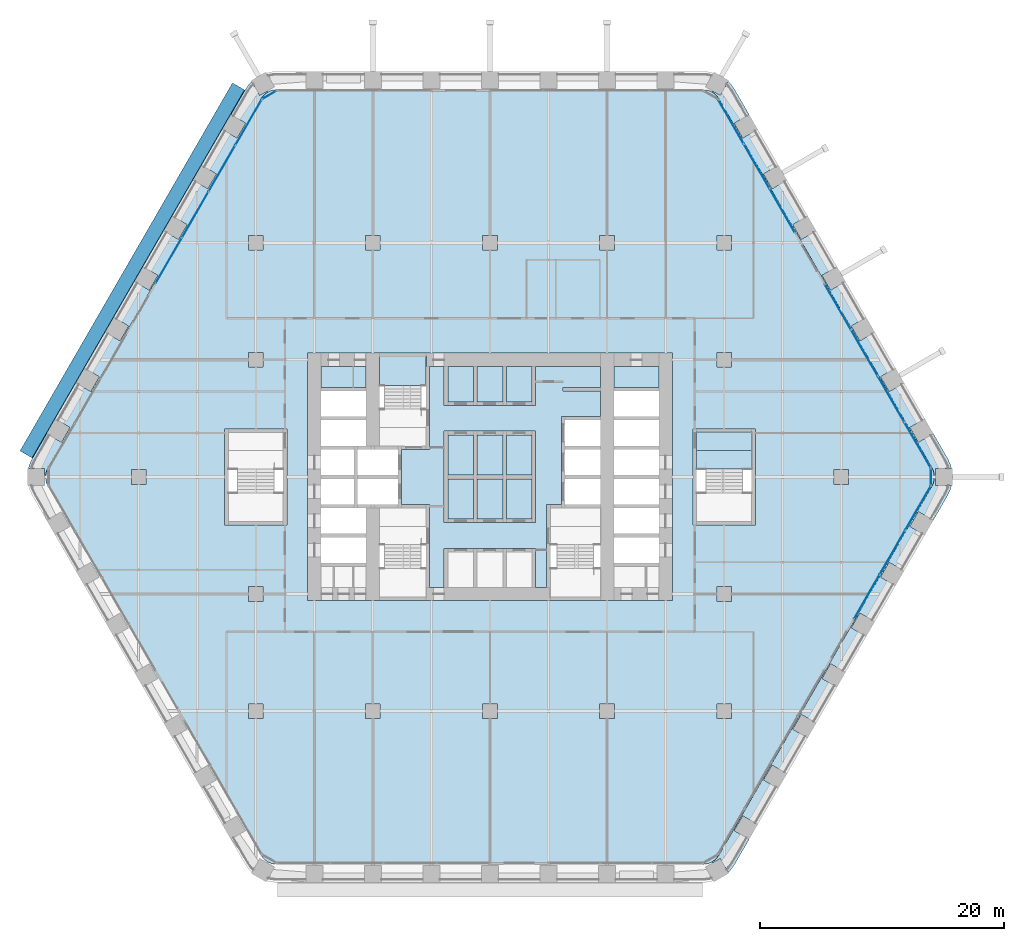
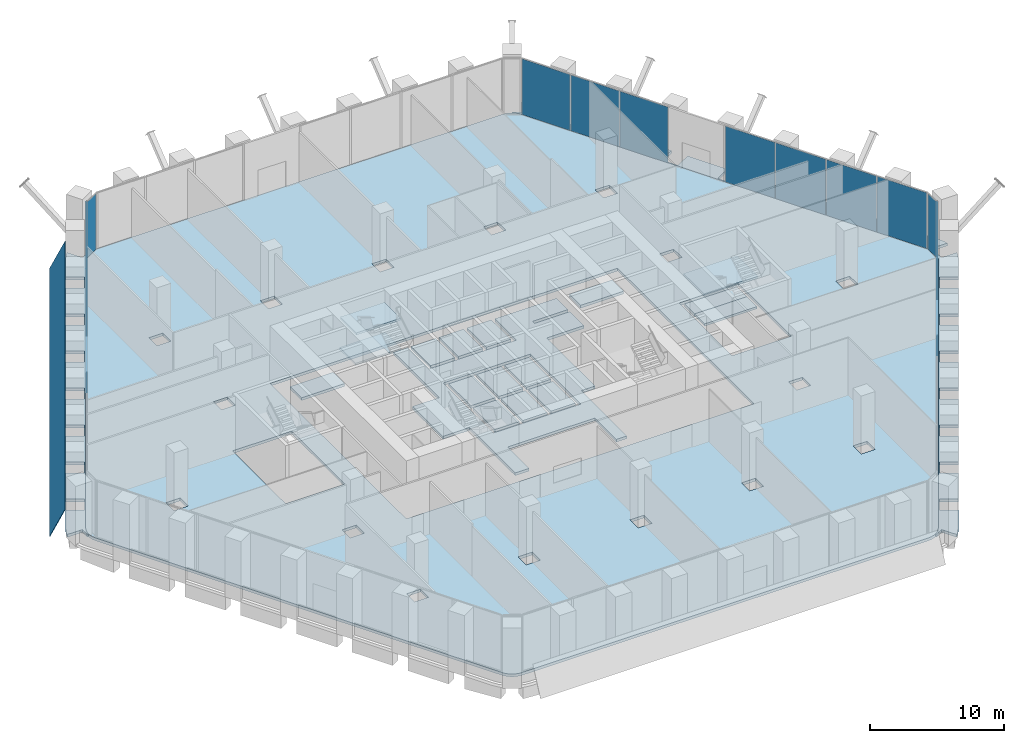
# One storey, part 16 of 29: 21 slabs, 17 plates, 8 elements without a shape of their own.
"""IFC4 building model written with IfcOpenShell, lengths in metres."""

import ifcopenshell
import ifcopenshell.guid

model = None  # the IFC model being written
_history = None  # IfcOwnerHistory: only IFC2X3 demands one
_inside = {}  # id of a spatial element -> (the spatial element, [elements in it])
_under = {}  # id of a project, library or spatial element -> (it, [spatial elements below it])
_declared = {}  # id of a project -> (the project, [libraries it declares])
_typed = {}  # id of a type object -> (the type object, [elements of that type])
_made_of = {}  # id of a material, layer set ... -> (it, [elements and type objects made of it])


def new_model(schema):
    """Start an empty IFC model of exactly this schema.

    Asked for "IFC4X3", IfcOpenShell would pick the latest addendum, in which some entities
    have other attributes; the version numbers below select the first issue.
    IFC2X3 requires an IfcOwnerHistory on every rooted entity: one is made here for all.
    """
    global model, _history
    if schema == "IFC4X3":
        model = ifcopenshell.file(schema_version=(4, 3, 0, 0))
    else:
        model = ifcopenshell.file(schema=schema)
    _inside.clear()
    _under.clear()
    _declared.clear()
    _typed.clear()
    _made_of.clear()
    _history = None
    if model.schema == "IFC2X3":
        org = make("IfcOrganization", Name="unknown")
        user = make(
            "IfcPersonAndOrganization",
            ThePerson=make("IfcPerson", FamilyName="unknown"),
            TheOrganization=org,
        )
        app = make(
            "IfcApplication",
            ApplicationDeveloper=org,
            Version="unknown",
            ApplicationFullName="unknown",
            ApplicationIdentifier="unknown",
        )
        _history = make(
            "IfcOwnerHistory",
            OwningUser=user,
            OwningApplication=app,
            ChangeAction="ADDED",
            CreationDate=0,
        )
    return model


def make(cls, **values):
    """One entity of the class cls with the attributes given. An attribute that is None is left unset."""
    return model.create_entity(
        cls, **{name: value for name, value in values.items() if value is not None}
    )


def rooted(cls, **values):
    """An entity with a GlobalId (a new one), such as an element, a storey or a relation."""
    return make(cls, GlobalId=ifcopenshell.guid.new(), OwnerHistory=_history, **values)


def si_unit(unit_type, name, prefix=None):
    """IfcSIUnit, for example si_unit("LENGTHUNIT", "METRE", prefix="MILLI")."""
    return make("IfcSIUnit", UnitType=unit_type, Prefix=prefix, Name=name)


def assignment(units):
    """IfcUnitAssignment: the units of a project."""
    return None if units is None else make("IfcUnitAssignment", Units=units)


def point(xyz):
    """IfcCartesianPoint."""
    return None if xyz is None else make("IfcCartesianPoint", Coordinates=xyz)


def direction(xyz):
    """IfcDirection."""
    return None if xyz is None else make("IfcDirection", DirectionRatios=xyz)


def frame(location, z_axis=None, x_axis=None):
    """IfcAxis2Placement3D, a coordinate frame: its origin and axes. An axis left out is left unset."""
    return make(
        "IfcAxis2Placement3D",
        Location=point(location),
        Axis=direction(z_axis),
        RefDirection=direction(x_axis),
    )


def frame_2d(location, x_axis=None):
    """IfcAxis2Placement2D, a coordinate frame in the plane: its origin and x axis."""
    return make(
        "IfcAxis2Placement2D", Location=point(location), RefDirection=direction(x_axis)
    )


def origin():
    """The frame at (0, 0, 0) with its axes left unset."""
    return frame((0.0, 0.0, 0.0))


def origin_2d():
    """The frame at (0, 0) in the plane with its x axis left unset."""
    return frame_2d((0.0, 0.0))


def place(relative_to, where):
    """IfcLocalPlacement: puts the frame where relative to a parent placement (None: the world)."""
    return make(
        "IfcLocalPlacement", PlacementRelTo=relative_to, RelativePlacement=where
    )


def context(
    kind, dimensions, precision=None, world=None, true_north=None, identifier=None
):
    """IfcGeometricRepresentationContext, for example the 3D "Model" context."""
    return make(
        "IfcGeometricRepresentationContext",
        ContextIdentifier=identifier,
        ContextType=kind,
        CoordinateSpaceDimension=dimensions,
        Precision=precision,
        WorldCoordinateSystem=world,
        TrueNorth=true_north,
    )


def subcontext(parent, identifier, kind, view, scale=None):
    """IfcGeometricRepresentationSubContext, for example "Body" below "Model"."""
    return make(
        "IfcGeometricRepresentationSubContext",
        ContextIdentifier=identifier,
        ContextType=kind,
        ParentContext=parent,
        TargetScale=scale,
        TargetView=view,
    )


def project(units=None, contexts=None):
    """IfcProject with its units and contexts."""
    return rooted(
        "IfcProject",
        Name="project",
        RepresentationContexts=contexts,
        UnitsInContext=assignment(units),
    )


def spatial(cls, under=None, at=None, **own):
    """A site, building, storey or space (cls), placed at a placement, below another one or the project."""
    s = rooted(cls, ObjectPlacement=at, **own)
    if under is not None:
        _under.setdefault(under.id(), (under, []))[1].append(s)
    return s


def polyline(points):
    """IfcPolyline through the points."""
    return make("IfcPolyline", Points=[point(p) for p in points])


def profile(cls, at=None, kind="AREA", **sizes):
    """A parametric profile (cls). Its sizes go by their IFC names, for example OverallWidth=200.0."""
    return make(cls, ProfileType=kind, Position=at, **sizes)


def rectangle(**sizes):
    """IfcRectangleProfileDef."""
    return profile("IfcRectangleProfileDef", **sizes)


def outline(outer, holes=None, kind="AREA"):
    """IfcArbitraryClosedProfileDef: a profile drawn as a closed curve; with holes, ...WithVoids."""
    if holes is None:
        return make("IfcArbitraryClosedProfileDef", ProfileType=kind, OuterCurve=outer)
    return make(
        "IfcArbitraryProfileDefWithVoids",
        ProfileType=kind,
        OuterCurve=outer,
        InnerCurves=holes,
    )


def extrude(swept, where, along, depth):
    """IfcExtrudedAreaSolid: the profile swept, set in the frame where, extruded along a direction by depth."""
    return make(
        "IfcExtrudedAreaSolid",
        SweptArea=swept,
        Position=where,
        ExtrudedDirection=direction(along),
        Depth=depth,
    )


def shape(context_of_items, identifier, shape_type, items):
    """IfcShapeRepresentation: the items that make up one representation, for example the "Body"."""
    return make(
        "IfcShapeRepresentation",
        ContextOfItems=context_of_items,
        RepresentationIdentifier=identifier,
        RepresentationType=shape_type,
        Items=items,
    )


def material(Name=None, Category=None):
    """IfcMaterial."""
    return make("IfcMaterial", Name=Name, Category=Category)


def layer(
    of_material, thickness, ventilated=None, Name=None, Category=None, Priority=None
):
    """IfcMaterialLayer: one layer of a wall or slab, of a material (None: an air gap)."""
    return make(
        "IfcMaterialLayer",
        Material=of_material,
        LayerThickness=thickness,
        IsVentilated=ventilated,
        Name=Name,
        Category=Category,
        Priority=Priority,
    )


def layer_set(layers, Name=None):
    """IfcMaterialLayerSet."""
    return make("IfcMaterialLayerSet", MaterialLayers=layers, LayerSetName=Name)


def made_of(thing, what):
    """Note that an element or type object is made of a material, layer set ...; save() writes the relation."""
    if what is not None:
        _made_of.setdefault(what.id(), (what, []))[1].append(thing)
    return thing


def type_object(cls, material=None, **own):
    """A type object (cls), such as IfcWallType, which elements share."""
    return made_of(rooted(cls, **own), material)


def element(
    cls,
    number,
    at=None,
    inside=None,
    cuts=None,
    type_object=None,
    material=None,
    context=None,
    identifier="Body",
    shape_type=None,
    held_by="IfcProductDefinitionShape",
    body=None,
    shapes=None,
    **own,
):
    """One element of the class cls, such as IfcWall. Its Tag is "e" and its number.

    at: its placement. inside: the storey or other place that contains it. cuts: it is an
    opening in that element (IfcRelVoidsElement). A single representation is given by context,
    identifier, shape_type and body (its items); several are given by shapes. held_by: the class
    of the entity that holds the representations. save() writes the other relations.
    """
    e = rooted(cls, Tag="e%d" % number, ObjectPlacement=at, **own)
    if body is not None:
        shapes = [shape(context, identifier, shape_type, body)]
    if shapes is not None:
        e.Representation = make(held_by, Representations=shapes)
    if inside is not None:
        _inside.setdefault(inside.id(), (inside, []))[1].append(e)
    if cuts is not None:
        rooted(
            "IfcRelVoidsElement", RelatingBuildingElement=cuts, RelatedOpeningElement=e
        )
    if type_object is not None:
        _typed.setdefault(type_object.id(), (type_object, []))[1].append(e)
    return made_of(e, material)


def aggregate(whole, parts):
    """IfcRelAggregates: a whole, such as a stair, and the parts it consists of."""
    return rooted("IfcRelAggregates", RelatingObject=whole, RelatedObjects=parts)


def save(model, path):
    """Write the relations noted so far, then the file.

    IfcRelAggregates (storeys below a building ...), IfcRelContainedInSpatialStructure (elements
    in a storey), IfcRelDefinesByType, IfcRelAssociatesMaterial and IfcRelDeclares: one each for
    every whole, place, type object, material and project.
    """
    for whole, parts in _under.values():
        aggregate(whole, parts)
    for where, things in _inside.values():
        rooted(
            "IfcRelContainedInSpatialStructure",
            RelatedElements=things,
            RelatingStructure=where,
        )
    for kind, things in _typed.values():
        rooted("IfcRelDefinesByType", RelatedObjects=things, RelatingType=kind)
    for what, things in _made_of.values():
        rooted("IfcRelAssociatesMaterial", RelatedObjects=things, RelatingMaterial=what)
    for by, libraries in _declared.values():
        rooted("IfcRelDeclares", RelatingContext=by, RelatedDefinitions=libraries)
    model.write(path)


model = new_model("IFC4")

# Units and contexts
model_context = context("Model", 3, precision=1e-05, world=origin(), true_north=direction((0.0, 1.0)))
body_context = subcontext(model_context, "Body", "Model", "MODEL_VIEW")
ifc_project = project(units=[si_unit("LENGTHUNIT", "METRE"), si_unit("AREAUNIT", "SQUARE_METRE"), si_unit("VOLUMEUNIT", "CUBIC_METRE"), si_unit("PLANEANGLEUNIT", "RADIAN"), si_unit("MASSUNIT", "GRAM", prefix="KILO")], contexts=[model_context])

# Site, building, storey
site_placement = place(None, origin())
site = spatial("IfcSite", under=ifc_project, at=site_placement, CompositionType="ELEMENT")
building_placement = place(site_placement, origin())
building = spatial("IfcBuilding", under=site, at=building_placement, Name="Kolab Exchange Tower", CompositionType="ELEMENT")
storey_placement = place(building_placement, frame((0.0, 0.0, 33.39990234375)))
storey = spatial("IfcBuildingStorey", under=building, at=storey_placement, Name="L06", CompositionType="ELEMENT", Elevation=33.39990234375)

# Slabs
ifc_material_1 = material(Name="Concrete C35/45", Category="concrete")
ifc_layer_1 = layer(ifc_material_1, 0.25)
ifc_layer_set_1 = layer_set([ifc_layer_1], Name="Concrete C35/45")
slab_type_1 = type_object("IfcSlabType", Name="FLOOR SLAB 250", PredefinedType="FLOOR", material=ifc_layer_set_1)
slab_1_placement = place(storey_placement, frame((0.0, 0.0, -0.25)))
element("IfcSlab", 1, at=slab_1_placement, inside=storey, type_object=slab_type_1, Name="slab/L06/floor/0", PredefinedType="FLOOR", context=body_context, shape_type="SweptSolid", body=[
    extrude(outline(polyline([(18.76708984375, -31.00537109375), (36.23486328125, -0.75), (36.345458984375, -0.512939453125), (36.4130859375, -0.260498046875), (36.435791015625, 0.0), (36.4130859375, 0.260498046875), (36.345458984375, 0.512939453125), (36.23486328125, 0.75), (18.76708984375, 31.00537109375), (18.616943359375, 31.219482421875), (18.43212890625, 31.404541015625), (18.218017578125, 31.554443359375), (17.98095703125, 31.664794921875), (17.728515625, 31.732666015625), (17.468017578125, 31.75537109375), (-17.468017578125, 31.75537109375), (-17.728515625, 31.732666015625), (-17.98095703125, 31.664794921875), (-18.218017578125, 31.554443359375), (-18.43212890625, 31.404541015625), (-18.616943359375, 31.219482421875), (-18.76708984375, 31.00537109375), (-36.23486328125, 0.75), (-36.345458984375, 0.512939453125), (-36.4130859375, 0.260498046875), (-36.435791015625, 0.0), (-36.4130859375, -0.260498046875), (-36.345458984375, -0.512939453125), (-36.23486328125, -0.75), (-18.76708984375, -31.00537109375), (-18.616943359375, -31.219482421875), (-18.43212890625, -31.404541015625), (-18.218017578125, -31.554443359375), (-17.98095703125, -31.664794921875), (-17.728515625, -31.732666015625), (-17.468017578125, -31.75537109375), (17.468017578125, -31.75537109375), (17.728515625, -31.732666015625), (17.98095703125, -31.664794921875), (18.218017578125, -31.554443359375), (18.43212890625, -31.404541015625), (18.616943359375, -31.219482421875), (18.76708984375, -31.00537109375)]), holes=[polyline([(-19.800048828125, -18.60009765625), (-18.60009765625, -18.60009765625), (-18.60009765625, -19.800048828125), (-19.800048828125, -19.800048828125), (-19.800048828125, -18.60009765625)]), polyline([(-18.60009765625, -9.0), (-18.60009765625, -10.199951171875), (-19.800048828125, -10.199951171875), (-19.800048828125, -9.0), (-18.60009765625, -9.0)]), polyline([(-21.75, -3.949951171875), (-21.75, 3.949951171875), (-21.449951171875, 3.949951171875), (-16.949951171875, 3.949951171875), (-16.64990234375, 3.949951171875), (-16.64990234375, -3.949951171875), (-16.949951171875, -3.949951171875), (-21.449951171875, -3.949951171875), (-21.75, -3.949951171875)]), polyline([(-14.949951171875, 10.14990234375), (-13.85009765625, 10.14990234375), (-10.14990234375, 10.14990234375), (-9.050048828125, 10.14990234375), (-5.25, 10.14990234375), (9.050048828125, 10.14990234375), (10.14990234375, 10.14990234375), (13.85009765625, 10.14990234375), (14.949951171875, 10.14990234375), (14.949951171875, -10.14990234375), (13.85009765625, -10.14990234375), (10.14990234375, -10.14990234375), (9.050048828125, -10.14990234375), (4.949951171875, -10.14990234375), (-5.25, -10.14990234375), (-9.050048828125, -10.14990234375), (-10.14990234375, -10.14990234375), (-13.85009765625, -10.14990234375), (-14.949951171875, -10.14990234375), (-14.949951171875, 10.14990234375)]), polyline([(-28.199951171875, 0.60009765625), (-28.199951171875, -0.60009765625), (-29.39990234375, -0.60009765625), (-29.39990234375, 0.60009765625), (-28.199951171875, 0.60009765625)]), polyline([(-18.60009765625, 10.199951171875), (-18.60009765625, 9.0), (-19.800048828125, 9.0), (-19.800048828125, 10.199951171875), (-18.60009765625, 10.199951171875)]), polyline([(-19.800048828125, 19.800048828125), (-18.60009765625, 19.800048828125), (-18.60009765625, 18.60009765625), (-19.800048828125, 18.60009765625), (-19.800048828125, 19.800048828125)]), polyline([(-9.0, -18.60009765625), (-9.0, -19.800048828125), (-10.199951171875, -19.800048828125), (-10.199951171875, -18.60009765625), (-9.0, -18.60009765625)]), polyline([(-9.0, 19.800048828125), (-9.0, 18.60009765625), (-10.199951171875, 18.60009765625), (-10.199951171875, 19.800048828125), (-9.0, 19.800048828125)]), polyline([(0.60009765625, -18.60009765625), (0.60009765625, -19.800048828125), (-0.60009765625, -19.800048828125), (-0.60009765625, -18.60009765625), (0.60009765625, -18.60009765625)]), polyline([(0.60009765625, 19.800048828125), (0.60009765625, 18.60009765625), (-0.60009765625, 18.60009765625), (-0.60009765625, 19.800048828125), (0.60009765625, 19.800048828125)]), polyline([(10.199951171875, -18.60009765625), (10.199951171875, -19.800048828125), (9.0, -19.800048828125), (9.0, -18.60009765625), (10.199951171875, -18.60009765625)]), polyline([(9.0, 19.800048828125), (10.199951171875, 19.800048828125), (10.199951171875, 18.60009765625), (9.0, 18.60009765625), (9.0, 19.800048828125)]), polyline([(19.800048828125, -18.60009765625), (19.800048828125, -19.800048828125), (18.60009765625, -19.800048828125), (18.60009765625, -18.60009765625), (19.800048828125, -18.60009765625)]), polyline([(19.800048828125, -9.0), (19.800048828125, -10.199951171875), (18.60009765625, -10.199951171875), (18.60009765625, -9.0), (19.800048828125, -9.0)]), polyline([(16.949951171875, -3.949951171875), (16.64990234375, -3.949951171875), (16.64990234375, 3.949951171875), (16.949951171875, 3.949951171875), (21.449951171875, 3.949951171875), (21.75, 3.949951171875), (21.75, -3.949951171875), (21.449951171875, -3.949951171875), (16.949951171875, -3.949951171875)]), polyline([(29.39990234375, 0.60009765625), (29.39990234375, -0.60009765625), (28.199951171875, -0.60009765625), (28.199951171875, 0.60009765625), (29.39990234375, 0.60009765625)]), polyline([(18.60009765625, 10.199951171875), (19.800048828125, 10.199951171875), (19.800048828125, 9.0), (18.60009765625, 9.0), (18.60009765625, 10.199951171875)]), polyline([(18.60009765625, 19.800048828125), (19.800048828125, 19.800048828125), (19.800048828125, 18.60009765625), (18.60009765625, 18.60009765625), (18.60009765625, 19.800048828125)])]), origin(), (0.0, 0.0, 1.0), 0.25),
])
slab_2_placement = place(storey_placement, frame((0.0, 0.0, -0.25)))
element("IfcSlab", 2, at=slab_2_placement, inside=storey, type_object=slab_type_1, Name="slab/L06/floor/1", PredefinedType="FLOOR", context=body_context, shape_type="SweptSolid", body=[
    extrude(outline(polyline([(-5.25, 2.25), (-7.25, 2.25), (-7.25, -2.25), (-5.25, -2.25), (-4.949951171875, -2.25), (-4.949951171875, -9.050048828125), (-3.75, -9.050048828125), (-3.75, -5.85009765625), (-3.449951171875, -5.85009765625), (-1.35009765625, -5.85009765625), (-1.050048828125, -5.85009765625), (1.050048828125, -5.85009765625), (1.35009765625, -5.85009765625), (3.449951171875, -5.85009765625), (3.75, -5.85009765625), (3.75, -9.050048828125), (4.64990234375, -9.050048828125), (4.64990234375, -2.25), (4.949951171875, -2.25), (5.85009765625, -2.25), (5.85009765625, 4.949951171875), (6.14990234375, 4.949951171875), (9.050048828125, 4.949951171875), (9.050048828125, 7.050048828125), (6.0, 7.050048828125), (6.0, 7.35009765625), (9.050048828125, 7.35009765625), (9.050048828125, 9.050048828125), (3.75, 9.050048828125), (3.75, 5.85009765625), (3.449951171875, 5.85009765625), (1.35009765625, 5.85009765625), (1.050048828125, 5.85009765625), (-1.050048828125, 5.85009765625), (-1.35009765625, 5.85009765625), (-3.449951171875, 5.85009765625), (-3.75, 5.85009765625), (-3.75, 9.050048828125), (-4.949951171875, 9.050048828125), (-4.949951171875, 2.25), (-5.25, 2.25)]), holes=[polyline([(-1.35009765625, 3.75), (-1.050048828125, 3.75), (1.050048828125, 3.75), (1.35009765625, 3.75), (3.449951171875, 3.75), (3.75, 3.75), (3.75, -3.75), (3.449951171875, -3.75), (1.35009765625, -3.75), (1.050048828125, -3.75), (-1.050048828125, -3.75), (-1.35009765625, -3.75), (-3.449951171875, -3.75), (-3.75, -3.75), (-3.75, 3.75), (-3.449951171875, 3.75), (-1.35009765625, 3.75)])]), origin(), (0.0, 0.0, 1.0), 0.25),
])
slab_3_placement = place(storey_placement, frame((0.0, 0.0, -0.25)))
element("IfcSlab", 3, at=slab_3_placement, inside=storey, type_object=slab_type_1, Name="slab/L06/floor/2", PredefinedType="FLOOR", context=body_context, shape_type="SweptSolid", body=[
    extrude(outline(polyline([(-3.449951171875, -3.449951171875), (-1.35009765625, -3.449951171875), (-1.35009765625, -0.14990234375), (-3.449951171875, -0.14990234375), (-3.449951171875, -3.449951171875)])), origin(), (0.0, 0.0, 1.0), 0.25),
])
slab_4_placement = place(storey_placement, frame((0.0, 0.0, -0.25)))
element("IfcSlab", 4, at=slab_4_placement, inside=storey, type_object=slab_type_1, Name="slab/L06/floor/3", PredefinedType="FLOOR", context=body_context, shape_type="SweptSolid", body=[
    extrude(outline(polyline([(-1.35009765625, 0.14990234375), (-1.35009765625, 3.449951171875), (-3.449951171875, 3.449951171875), (-3.449951171875, 0.14990234375), (-1.35009765625, 0.14990234375)])), origin(), (0.0, 0.0, 1.0), 0.25),
])
slab_5_placement = place(storey_placement, frame((0.0, 0.0, -0.25)))
element("IfcSlab", 5, at=slab_5_placement, inside=storey, type_object=slab_type_1, Name="slab/L06/floor/4", PredefinedType="FLOOR", context=body_context, shape_type="SweptSolid", body=[
    extrude(outline(polyline([(-1.050048828125, -0.14990234375), (-1.050048828125, -3.449951171875), (1.050048828125, -3.449951171875), (1.050048828125, -0.14990234375), (-1.050048828125, -0.14990234375)])), origin(), (0.0, 0.0, 1.0), 0.25),
])
slab_6_placement = place(storey_placement, frame((0.0, 0.0, -0.25)))
element("IfcSlab", 6, at=slab_6_placement, inside=storey, type_object=slab_type_1, Name="slab/L06/floor/5", PredefinedType="FLOOR", context=body_context, shape_type="SweptSolid", body=[
    extrude(outline(polyline([(-1.050048828125, 3.449951171875), (-1.050048828125, 0.14990234375), (1.050048828125, 0.14990234375), (1.050048828125, 3.449951171875), (-1.050048828125, 3.449951171875)])), origin(), (0.0, 0.0, 1.0), 0.25),
])
slab_7_placement = place(storey_placement, frame((0.0, 0.0, -0.25)))
element("IfcSlab", 7, at=slab_7_placement, inside=storey, type_object=slab_type_1, Name="slab/L06/floor/6", PredefinedType="FLOOR", context=body_context, shape_type="SweptSolid", body=[
    extrude(outline(polyline([(1.35009765625, -3.449951171875), (3.449951171875, -3.449951171875), (3.449951171875, -0.14990234375), (1.35009765625, -0.14990234375), (1.35009765625, -3.449951171875)])), origin(), (0.0, 0.0, 1.0), 0.25),
])
slab_8_placement = place(storey_placement, frame((0.0, 0.0, -0.25)))
element("IfcSlab", 8, at=slab_8_placement, inside=storey, type_object=slab_type_1, Name="slab/L06/floor/7", PredefinedType="FLOOR", context=body_context, shape_type="SweptSolid", body=[
    extrude(outline(polyline([(1.35009765625, 0.14990234375), (3.449951171875, 0.14990234375), (3.449951171875, 3.449951171875), (1.35009765625, 3.449951171875), (1.35009765625, 0.14990234375)])), origin(), (0.0, 0.0, 1.0), 0.25),
])
slab_9_placement = place(storey_placement, frame((0.0, 0.0, -0.25)))
element("IfcSlab", 9, at=slab_9_placement, inside=storey, type_object=slab_type_1, Name="slab/L06/floor/9", PredefinedType="FLOOR", context=body_context, shape_type="SweptSolid", body=[
    extrude(outline(polyline([(21.449951171875, 3.64990234375), (16.949951171875, 3.64990234375), (16.949951171875, 2.14990234375), (21.449951171875, 2.14990234375), (21.449951171875, 3.64990234375)])), origin(), (0.0, 0.0, 1.0), 0.25),
])
slab_10_placement = place(storey_placement, frame((0.0, 0.0, -0.25)))
element("IfcSlab", 10, at=slab_10_placement, inside=storey, type_object=slab_type_1, Name="slab/L06/floor/11", PredefinedType="FLOOR", context=body_context, shape_type="SweptSolid", body=[
    extrude(outline(polyline([(-13.85009765625, 7.35009765625), (-10.14990234375, 7.35009765625), (-10.14990234375, 9.050048828125), (-13.85009765625, 9.050048828125), (-13.85009765625, 7.35009765625)])), origin(), (0.0, 0.0, 1.0), 0.25),
])
slab_11_placement = place(storey_placement, frame((0.0, 0.0, -0.25)))
element("IfcSlab", 11, at=slab_11_placement, inside=storey, type_object=slab_type_1, Name="slab/L06/floor/13", PredefinedType="FLOOR", context=body_context, shape_type="SweptSolid", body=[
    extrude(outline(polyline([(10.14990234375, 7.35009765625), (13.85009765625, 7.35009765625), (13.85009765625, 9.050048828125), (10.14990234375, 9.050048828125), (10.14990234375, 7.35009765625)])), origin(), (0.0, 0.0, 1.0), 0.25),
])
slab_12_placement = place(storey_placement, frame((0.0, 0.0, -0.25)))
element("IfcSlab", 12, at=slab_12_placement, inside=storey, type_object=slab_type_1, Name="slab/L06/floor/16", PredefinedType="FLOOR", context=body_context, shape_type="SweptSolid", body=[
    extrude(outline(polyline([(-1.050048828125, 9.050048828125), (-1.050048828125, 6.14990234375), (1.050048828125, 6.14990234375), (1.050048828125, 9.050048828125), (-1.050048828125, 9.050048828125)])), origin(), (0.0, 0.0, 1.0), 0.25),
])
slab_13_placement = place(storey_placement, frame((0.0, 0.0, -0.25)))
element("IfcSlab", 13, at=slab_13_placement, inside=storey, type_object=slab_type_1, Name="slab/L06/floor/18", PredefinedType="FLOOR", context=body_context, shape_type="SweptSolid", body=[
    extrude(outline(polyline([(-1.35009765625, 6.14990234375), (-1.35009765625, 9.050048828125), (-3.449951171875, 9.050048828125), (-3.449951171875, 6.14990234375), (-1.35009765625, 6.14990234375)])), origin(), (0.0, 0.0, 1.0), 0.25),
])
slab_14_placement = place(storey_placement, frame((0.0, 0.0, -0.25)))
element("IfcSlab", 14, at=slab_14_placement, inside=storey, type_object=slab_type_1, Name="slab/L06/floor/20", PredefinedType="FLOOR", context=body_context, shape_type="SweptSolid", body=[
    extrude(outline(polyline([(1.35009765625, 6.14990234375), (3.449951171875, 6.14990234375), (3.449951171875, 9.050048828125), (1.35009765625, 9.050048828125), (1.35009765625, 6.14990234375)])), origin(), (0.0, 0.0, 1.0), 0.25),
])
ifc_layer_2 = layer(ifc_material_1, 0.25)
ifc_layer_set_2 = layer_set([ifc_layer_2], Name="Concrete C35/45")
slab_type_2 = type_object("IfcSlabType", Name="LOGGIA SLAB 250", PredefinedType="FLOOR", material=ifc_layer_set_2)
slab_15_placement = place(storey_placement, frame((0.0, 0.0, -0.25)))
element("IfcSlab", 15, at=slab_15_placement, inside=storey, type_object=slab_type_2, Name="slab/L06/loggia/1-0", PredefinedType="FLOOR", context=body_context, shape_type="SweptSolid", body=[
    extrude(outline(polyline([(36.435791015625, 0.0), (36.535888671875, 0.0), (36.535888671875, 0.699951171875), (37.84228515625, 0.699951171875), (37.7548828125, 1.026123046875), (37.533935546875, 1.5), (36.35009765625, 3.55078125), (35.137451171875, 2.8505859375), (34.4375, 4.063232421875), (35.64990234375, 4.76318359375), (33.949951171875, 7.70751953125), (32.737548828125, 7.007568359375), (32.03759765625, 8.219970703125), (33.25, 8.920166015625), (31.550048828125, 11.864501953125), (30.337646484375, 11.16455078125), (29.637451171875, 12.376953125), (30.85009765625, 13.076904296875), (29.14990234375, 16.021484375), (27.9375, 15.321533203125), (27.237548828125, 16.533935546875), (28.449951171875, 17.23388671875), (26.75, 20.178466796875), (25.53759765625, 19.478271484375), (24.837646484375, 20.69091796875), (26.050048828125, 21.390869140625), (24.35009765625, 24.335205078125), (23.137451171875, 23.63525390625), (22.4375, 24.84765625), (23.64990234375, 25.5478515625), (21.949951171875, 28.4921875), (20.737548828125, 27.792236328125), (20.03759765625, 29.004638671875), (21.25, 29.70458984375), (20.06591796875, 31.75537109375), (19.76611328125, 32.183837890625), (19.52734375, 32.42236328125), (18.874267578125, 31.291015625), (18.26806640625, 31.64111328125), (18.218017578125, 31.554443359375), (18.43212890625, 31.404541015625), (18.616943359375, 31.219482421875), (18.76708984375, 31.00537109375), (36.23486328125, 0.75), (36.345458984375, 0.512939453125), (36.4130859375, 0.260498046875), (36.435791015625, 0.0)])), origin(), (0.0, 0.0, 1.0), 0.25),
])
slab_16_placement = place(storey_placement, frame((0.0, 0.0, -0.25)))
element("IfcSlab", 16, at=slab_16_placement, inside=storey, type_object=slab_type_2, Name="slab/L06/loggia/2-0", PredefinedType="FLOOR", context=body_context, shape_type="SweptSolid", body=[
    extrude(outline(polyline([(20.06591796875, -31.75537109375), (21.25, -29.70458984375), (20.03759765625, -29.004638671875), (20.737548828125, -27.792236328125), (21.949951171875, -28.4921875), (23.64990234375, -25.5478515625), (22.4375, -24.84765625), (23.137451171875, -23.63525390625), (24.35009765625, -24.335205078125), (26.050048828125, -21.390869140625), (24.837646484375, -20.69091796875), (25.53759765625, -19.478271484375), (26.75, -20.178466796875), (28.449951171875, -17.23388671875), (27.237548828125, -16.533935546875), (27.9375, -15.321533203125), (29.14990234375, -16.021484375), (30.85009765625, -13.076904296875), (29.637451171875, -12.376953125), (30.337646484375, -11.16455078125), (31.550048828125, -11.864501953125), (33.25, -8.920166015625), (32.03759765625, -8.219970703125), (32.737548828125, -7.007568359375), (33.949951171875, -7.70751953125), (35.64990234375, -4.76318359375), (34.4375, -4.063232421875), (35.137451171875, -2.8505859375), (36.35009765625, -3.55078125), (37.533935546875, -1.5), (37.7548828125, -1.026123046875), (37.84228515625, -0.699951171875), (36.535888671875, -0.699951171875), (36.535888671875, 0.0), (36.435791015625, 0.0), (36.4130859375, -0.260498046875), (36.345458984375, -0.512939453125), (36.23486328125, -0.75), (18.76708984375, -31.00537109375), (18.616943359375, -31.219482421875), (18.43212890625, -31.404541015625), (18.218017578125, -31.554443359375), (18.26806640625, -31.64111328125), (18.874267578125, -31.291015625), (19.52734375, -32.42236328125), (19.76611328125, -32.183837890625), (20.06591796875, -31.75537109375)])), origin(), (0.0, 0.0, 1.0), 0.25),
])
slab_17_placement = place(storey_placement, frame((0.0, 0.0, -0.25)))
element("IfcSlab", 17, at=slab_17_placement, inside=storey, type_object=slab_type_2, Name="slab/L06/loggia/5-0", PredefinedType="FLOOR", context=body_context, shape_type="SweptSolid", body=[
    extrude(outline(polyline([(-18.218017578125, 31.554443359375), (-18.26806640625, 31.64111328125), (-18.874267578125, 31.291015625), (-19.52734375, 32.42236328125), (-19.76611328125, 32.183837890625), (-20.06591796875, 31.75537109375), (-21.25, 29.70458984375), (-20.03759765625, 29.004638671875), (-20.737548828125, 27.792236328125), (-21.949951171875, 28.4921875), (-23.64990234375, 25.5478515625), (-22.4375, 24.84765625), (-23.137451171875, 23.63525390625), (-24.35009765625, 24.335205078125), (-26.050048828125, 21.390869140625), (-24.837646484375, 20.69091796875), (-25.53759765625, 19.478271484375), (-26.75, 20.178466796875), (-28.449951171875, 17.23388671875), (-27.237548828125, 16.533935546875), (-27.9375, 15.321533203125), (-29.14990234375, 16.021484375), (-30.85009765625, 13.076904296875), (-29.637451171875, 12.376953125), (-30.337646484375, 11.16455078125), (-31.550048828125, 11.864501953125), (-33.25, 8.920166015625), (-32.03759765625, 8.219970703125), (-32.737548828125, 7.007568359375), (-33.949951171875, 7.70751953125), (-35.64990234375, 4.76318359375), (-34.4375, 4.063232421875), (-35.137451171875, 2.8505859375), (-36.35009765625, 3.55078125), (-37.533935546875, 1.5), (-37.7548828125, 1.026123046875), (-37.84228515625, 0.699951171875), (-36.535888671875, 0.699951171875), (-36.535888671875, 0.0), (-36.435791015625, 0.0), (-36.4130859375, 0.260498046875), (-36.345458984375, 0.512939453125), (-36.23486328125, 0.75), (-18.76708984375, 31.00537109375), (-18.616943359375, 31.219482421875), (-18.43212890625, 31.404541015625), (-18.218017578125, 31.554443359375)])), origin(), (0.0, 0.0, 1.0), 0.25),
])

# Plate
ifc_material_2 = material(Name="Laminated glass, clear", Category="glass")
ifc_layer_3 = layer(ifc_material_2, 0.0400390625)
ifc_layer_set_3 = layer_set([ifc_layer_3], Name="Laminated glass, clear")
plate_type_1 = type_object("IfcPlateType", Name="OUTER SKIN LAMINATED GLASS SHEET 40", PredefinedType="SHEET", material=ifc_layer_set_3)
plate_1_placement = place(storey_placement, frame((-38.53076171875, 2.13330078125, -0.782958984375), z_axis=(-0.784872769673, 0.453148092024, 0.422648248689), x_axis=(0.500001313459, 0.866024645457, 0.0)))
element("IfcPlate", 18, at=plate_1_placement, inside=storey, type_object=plate_type_1, Name="Outer skin", PredefinedType="SHEET", context=body_context, shape_type="SweptSolid", body=[
    extrude(outline(polyline([(0.0, 0.0), (34.83584598906518, 0.0), (34.8359132764295, -2.7059575705201846), (6.728736431932392e-05, -2.705957570520185), (0.0, 0.0)])), origin(), (0.0, 0.0, -1.0), 0.0400390625),
])

# Stair, slabs
ifc_material_3 = material(Name="Concrete C50/60", Category="concrete")
stair_type_1 = type_object("IfcStairType", Name="STAIR ST1 RISER 171.9", PredefinedType="DOUBLE_RETURN_STAIR", material=ifc_material_3)
stair_1_placement = place(storey_placement, origin())
stair_1 = element("IfcStair", 19, at=stair_1_placement, inside=storey, type_object=stair_type_1, Name="Stair 1", PredefinedType="DOUBLE_RETURN_STAIR")
ifc_layer_4 = layer(ifc_material_3, 0.199951171875)
ifc_layer_set_4 = layer_set([ifc_layer_4], Name="Concrete C50/60")
slab_type_3 = type_object("IfcSlabType", Name="STAIR LANDING 200", PredefinedType="LANDING", material=ifc_layer_set_4)
slab_18_placement = place(storey_placement, frame((0.0, 0.0, 1.175048828125)))
slab_18 = element("IfcSlab", 20, at=slab_18_placement, type_object=slab_type_3, Name="ST1 landing 2", PredefinedType="LANDING", context=body_context, shape_type="SweptSolid", body=[
    extrude(outline(polyline([(-9.110107421875, 7.510009765625), (-5.18994140625, 7.510009765625), (-5.18994140625, 9.909912109375), (-9.110107421875, 9.909912109375), (-9.110107421875, 7.510009765625)])), origin(), (0.0, 0.0, 1.0), 0.199951171875),
])
slab_19_placement = place(storey_placement, frame((0.0, 0.0, 3.925048828125)))
slab_19 = element("IfcSlab", 21, at=slab_19_placement, type_object=slab_type_3, Name="ST1 landing 4", PredefinedType="LANDING", context=body_context, shape_type="SweptSolid", body=[
    extrude(outline(polyline([(-9.050048828125, 7.510009765625), (-5.25, 7.510009765625), (-5.25, 9.909912109375), (-9.050048828125, 9.909912109375), (-9.050048828125, 7.510009765625)])), origin(), (0.0, 0.0, 1.0), 0.199951171875),
])
aggregate(stair_1, [slab_18, slab_19])

stair_type_2 = type_object("IfcStairType", Name="STAIR ST4 RISER 171.9", PredefinedType="DOUBLE_RETURN_STAIR", material=ifc_material_3)
stair_2_placement = place(storey_placement, origin())
stair_2 = element("IfcStair", 22, at=stair_2_placement, inside=storey, type_object=stair_type_2, Name="Stair 4", PredefinedType="DOUBLE_RETURN_STAIR")
slab_20_placement = place(storey_placement, frame((0.0, 0.0, -0.199951171875)))
slab_20 = element("IfcSlab", 23, at=slab_20_placement, type_object=slab_type_3, Name="ST4 landing 1", PredefinedType="LANDING", context=body_context, shape_type="SweptSolid", body=[
    extrude(outline(polyline([(16.949951171875, 0.64990234375), (21.449951171875, 0.64990234375), (21.449951171875, 2.14990234375), (16.949951171875, 2.14990234375), (16.949951171875, 0.64990234375)])), origin(), (0.0, 0.0, 1.0), 0.199951171875),
])
slab_21_placement = place(storey_placement, frame((0.0, 0.0, 2.550048828125)))
slab_21 = element("IfcSlab", 24, at=slab_21_placement, type_object=slab_type_3, Name="ST4 landing 3", PredefinedType="LANDING", context=body_context, shape_type="SweptSolid", body=[
    extrude(outline(polyline([(16.889892578125, 0.64990234375), (21.510009765625, 0.64990234375), (21.510009765625, 3.7099609375), (16.889892578125, 3.7099609375), (16.889892578125, 0.64990234375)])), origin(), (0.0, 0.0, 1.0), 0.199951171875),
])
aggregate(stair_2, [slab_20, slab_21])

# Curtain wall, plates
ifc_material_4 = material(Name="Aluminium EN AW-6063 T6", Category="aluminium")
curtain_wall_type = type_object("IfcCurtainWallType", Name="UNITISED LOW ZONE CURTAIN WALL", PredefinedType="NOTDEFINED", material=ifc_material_4)
curtain_wall_1_placement = place(storey_placement, origin())
curtain_wall_1 = element("IfcCurtainWall", 25, at=curtain_wall_1_placement, inside=storey, type_object=curtain_wall_type, Name="cw/L06/F2-1", PredefinedType="NOTDEFINED")
ifc_material_5 = material(Name="Clear insulated glazing unit", Category="glass")
ifc_layer_5 = layer(ifc_material_5, 0.02392578125)
ifc_layer_set_5 = layer_set([ifc_layer_5], Name="Clear insulated glazing unit")
plate_type_2 = type_object("IfcPlateType", Name="UNITISED LOW ZONE GLASS PANEL 24", PredefinedType="CURTAIN_PANEL", material=ifc_layer_set_5)
plate_2_placement = place(storey_placement, frame((19.760986328125, 29.1240234375, 0.06005859375), z_axis=(0.0, 0.0, 1.0), x_axis=(0.500000017564, -0.866025393644, 0.0)))
plate_2 = element("IfcPlate", 26, at=plate_2_placement, type_object=plate_type_2, Name="CW1 panel 1.1", PredefinedType="CURTAIN_PANEL", context=body_context, shape_type="SweptSolid", body=[
    extrude(rectangle(XDim=4.132568359375, YDim=0.02392578125, at=origin_2d()), origin(), (0.0, 0.0, 1.0), 5.080078125),
])
plate_3_placement = place(storey_placement, frame((21.86474609375, 25.47998046875, 0.06005859375), z_axis=(0.0, 0.0, 1.0), x_axis=(0.500000017564, -0.866025393644, 0.0)))
plate_3 = element("IfcPlate", 27, at=plate_3_placement, type_object=plate_type_2, Name="CW1 panel 2.1", PredefinedType="CURTAIN_PANEL", context=body_context, shape_type="SweptSolid", body=[
    extrude(rectangle(XDim=4.16259765625, YDim=0.02392578125, at=origin_2d()), origin(), (0.0, 0.0, 1.0), 5.080078125),
])
plate_4_placement = place(storey_placement, frame((23.968505859375, 21.836181640625, 0.06005859375), z_axis=(0.0, 0.0, 1.0), x_axis=(0.500000017564, -0.866025393644, 0.0)))
plate_4 = element("IfcPlate", 28, at=plate_4_placement, type_object=plate_type_2, Name="CW1 panel 3.1", PredefinedType="CURTAIN_PANEL", context=body_context, shape_type="SweptSolid", body=[
    extrude(rectangle(XDim=4.132568359375, YDim=0.02392578125, at=origin_2d()), origin(), (0.0, 0.0, 1.0), 5.080078125),
])
aggregate(curtain_wall_1, [plate_2, plate_3, plate_4])

curtain_wall_2_placement = place(storey_placement, origin())
curtain_wall_2 = element("IfcCurtainWall", 29, at=curtain_wall_2_placement, inside=storey, type_object=curtain_wall_type, Name="cw/L06/F2-2", PredefinedType="NOTDEFINED")
plate_5_placement = place(storey_placement, frame((28.531005859375, 13.933837890625, 0.06005859375), z_axis=(0.0, 0.0, 1.0), x_axis=(0.499999968274, -0.866025422102, 0.0)))
plate_5 = element("IfcPlate", 30, at=plate_5_placement, type_object=plate_type_2, Name="CW1 panel 1.1", PredefinedType="CURTAIN_PANEL", context=body_context, shape_type="SweptSolid", body=[
    extrude(rectangle(XDim=4.277099609375, YDim=0.02392578125, at=origin_2d()), origin(), (0.0, 0.0, 1.0), 5.080078125),
])
plate_6_placement = place(storey_placement, frame((30.70703125, 10.164794921875, 0.06005859375), z_axis=(0.0, 0.0, 1.0), x_axis=(0.499999968274, -0.866025422102, 0.0)))
plate_6 = element("IfcPlate", 31, at=plate_6_placement, type_object=plate_type_2, Name="CW1 panel 2.1", PredefinedType="CURTAIN_PANEL", context=body_context, shape_type="SweptSolid", body=[
    extrude(rectangle(XDim=4.306884765625, YDim=0.02392578125, at=origin_2d()), origin(), (0.0, 0.0, 1.0), 5.080078125),
])
plate_7_placement = place(storey_placement, frame((32.890380859375, 6.3828125, 0.06005859375), z_axis=(0.0, 0.0, 1.0), x_axis=(0.499999968274, -0.866025422102, 0.0)))
plate_7 = element("IfcPlate", 32, at=plate_7_placement, type_object=plate_type_2, Name="CW1 panel 3.1", PredefinedType="CURTAIN_PANEL", context=body_context, shape_type="SweptSolid", body=[
    extrude(rectangle(XDim=4.306884765625, YDim=0.02392578125, at=origin_2d()), origin(), (0.0, 0.0, 1.0), 5.080078125),
])
plate_8_placement = place(storey_placement, frame((35.06640625, 2.614013671875, 0.06005859375), z_axis=(0.0, 0.0, 1.0), x_axis=(0.499999968274, -0.866025422102, 0.0)))
plate_8 = element("IfcPlate", 33, at=plate_8_placement, type_object=plate_type_2, Name="CW1 panel 4.1", PredefinedType="CURTAIN_PANEL", context=body_context, shape_type="SweptSolid", body=[
    extrude(rectangle(XDim=4.277099609375, YDim=0.02392578125, at=origin_2d()), origin(), (0.0, 0.0, 1.0), 5.080078125),
])
aggregate(curtain_wall_2, [plate_5, plate_6, plate_7, plate_8])

curtain_wall_3_placement = place(storey_placement, origin())
curtain_wall_3 = element("IfcCurtainWall", 34, at=curtain_wall_3_placement, inside=storey, type_object=curtain_wall_type, Name="cw/L06/F3-1", PredefinedType="NOTDEFINED")
plate_9_placement = place(storey_placement, frame((35.1025390625, -2.551513671875, 0.06005859375), z_axis=(0.0, 0.0, 1.0), x_axis=(-0.499999958358, -0.866025427826, 0.0)))
plate_9 = element("IfcPlate", 35, at=plate_9_placement, type_object=plate_type_2, Name="CW1 panel 1.1", PredefinedType="CURTAIN_PANEL", context=body_context, shape_type="SweptSolid", body=[
    extrude(rectangle(XDim=4.132568359375, YDim=0.02392578125, at=origin_2d()), origin(), (0.0, 0.0, 1.0), 5.080078125),
])
plate_10_placement = place(storey_placement, frame((32.998779296875, -6.1953125, 0.06005859375), z_axis=(0.0, 0.0, 1.0), x_axis=(-0.499999958358, -0.866025427826, 0.0)))
plate_10 = element("IfcPlate", 36, at=plate_10_placement, type_object=plate_type_2, Name="CW1 panel 2.1", PredefinedType="CURTAIN_PANEL", context=body_context, shape_type="SweptSolid", body=[
    extrude(rectangle(XDim=4.16259765625, YDim=0.02392578125, at=origin_2d()), origin(), (0.0, 0.0, 1.0), 5.080078125),
])
plate_11_placement = place(storey_placement, frame((30.894775390625, -9.83935546875, 0.06005859375), z_axis=(0.0, 0.0, 1.0), x_axis=(-0.499999958358, -0.866025427826, 0.0)))
plate_11 = element("IfcPlate", 37, at=plate_11_placement, type_object=plate_type_2, Name="CW1 panel 3.1", PredefinedType="CURTAIN_PANEL", context=body_context, shape_type="SweptSolid", body=[
    extrude(rectangle(XDim=4.132568359375, YDim=0.02392578125, at=origin_2d()), origin(), (0.0, 0.0, 1.0), 5.080078125),
])
aggregate(curtain_wall_3, [plate_9, plate_10, plate_11])

curtain_wall_4_placement = place(storey_placement, origin())
curtain_wall_4 = element("IfcCurtainWall", 38, at=curtain_wall_4_placement, inside=storey, type_object=curtain_wall_type, Name="cw/L06/F6-2", PredefinedType="NOTDEFINED")
plate_12_placement = place(storey_placement, frame((-26.33251953125, 17.74169921875, 0.06005859375), z_axis=(0.0, 0.0, 1.0), x_axis=(0.5000000112, 0.866025397318, 0.0)))
plate_12 = element("IfcPlate", 39, at=plate_12_placement, type_object=plate_type_2, Name="CW1 panel 1.1", PredefinedType="CURTAIN_PANEL", context=body_context, shape_type="SweptSolid", body=[
    extrude(rectangle(XDim=4.277099609375, YDim=0.02392578125, at=origin_2d()), origin(), (0.0, 0.0, 1.0), 5.080078125),
])
plate_13_placement = place(storey_placement, frame((-24.156494140625, 21.510498046875, 0.06005859375), z_axis=(0.0, 0.0, 1.0), x_axis=(0.5000000112, 0.866025397318, 0.0)))
plate_13 = element("IfcPlate", 40, at=plate_13_placement, type_object=plate_type_2, Name="CW1 panel 2.1", PredefinedType="CURTAIN_PANEL", context=body_context, shape_type="SweptSolid", body=[
    extrude(rectangle(XDim=4.306884765625, YDim=0.02392578125, at=origin_2d()), origin(), (0.0, 0.0, 1.0), 5.080078125),
])
plate_14_placement = place(storey_placement, frame((-21.972900390625, 25.29248046875, 0.06005859375), z_axis=(0.0, 0.0, 1.0), x_axis=(0.5000000112, 0.866025397318, 0.0)))
plate_14 = element("IfcPlate", 41, at=plate_14_placement, type_object=plate_type_2, Name="CW1 panel 3.1", PredefinedType="CURTAIN_PANEL", context=body_context, shape_type="SweptSolid", body=[
    extrude(rectangle(XDim=4.306884765625, YDim=0.02392578125, at=origin_2d()), origin(), (0.0, 0.0, 1.0), 5.080078125),
])
plate_15_placement = place(storey_placement, frame((-19.796875, 29.0615234375, 0.06005859375), z_axis=(0.0, 0.0, 1.0), x_axis=(0.5000000112, 0.866025397318, 0.0)))
plate_15 = element("IfcPlate", 42, at=plate_15_placement, type_object=plate_type_2, Name="CW1 panel 4.1", PredefinedType="CURTAIN_PANEL", context=body_context, shape_type="SweptSolid", body=[
    extrude(rectangle(XDim=4.277099609375, YDim=0.02392578125, at=origin_2d()), origin(), (0.0, 0.0, 1.0), 5.080078125),
])
aggregate(curtain_wall_4, [plate_12, plate_13, plate_14, plate_15])

# Curtain wall, plate
curtain_wall_5_placement = place(storey_placement, origin())
curtain_wall_5 = element("IfcCurtainWall", 43, at=curtain_wall_5_placement, inside=storey, type_object=curtain_wall_type, Name="cw/L06/F2F3-corner", PredefinedType="NOTDEFINED")
plate_16_placement = place(storey_placement, frame((36.165771484375, 0.0, 0.06005859375), z_axis=(0.0, 0.0, 1.0), x_axis=(0.0, -1.0, 0.0)))
plate_16 = element("IfcPlate", 44, at=plate_16_placement, type_object=plate_type_2, Name="CW1 panel 1.1", PredefinedType="CURTAIN_PANEL", context=body_context, shape_type="SweptSolid", body=[
    extrude(rectangle(XDim=1.300048828125, YDim=0.02392578125, at=origin_2d()), origin(), (0.0, 0.0, 1.0), 5.080078125),
])
aggregate(curtain_wall_5, [plate_16])

curtain_wall_6_placement = place(storey_placement, origin())
curtain_wall_6 = element("IfcCurtainWall", 45, at=curtain_wall_6_placement, inside=storey, type_object=curtain_wall_type, Name="cw/L06/F6F1-corner", PredefinedType="NOTDEFINED")
plate_17_placement = place(storey_placement, frame((-18.082763671875, 31.3203125, 0.06005859375), z_axis=(0.0, 0.0, 1.0), x_axis=(0.866025390869, 0.50000002237, 0.0)))
plate_17 = element("IfcPlate", 46, at=plate_17_placement, type_object=plate_type_2, Name="CW1 panel 1.1", PredefinedType="CURTAIN_PANEL", context=body_context, shape_type="SweptSolid", body=[
    extrude(rectangle(XDim=1.300048828125, YDim=0.02392578125, at=origin_2d()), origin(), (0.0, 0.0, 1.0), 5.080078125),
])
aggregate(curtain_wall_6, [plate_17])

save(model, "model.ifc")
